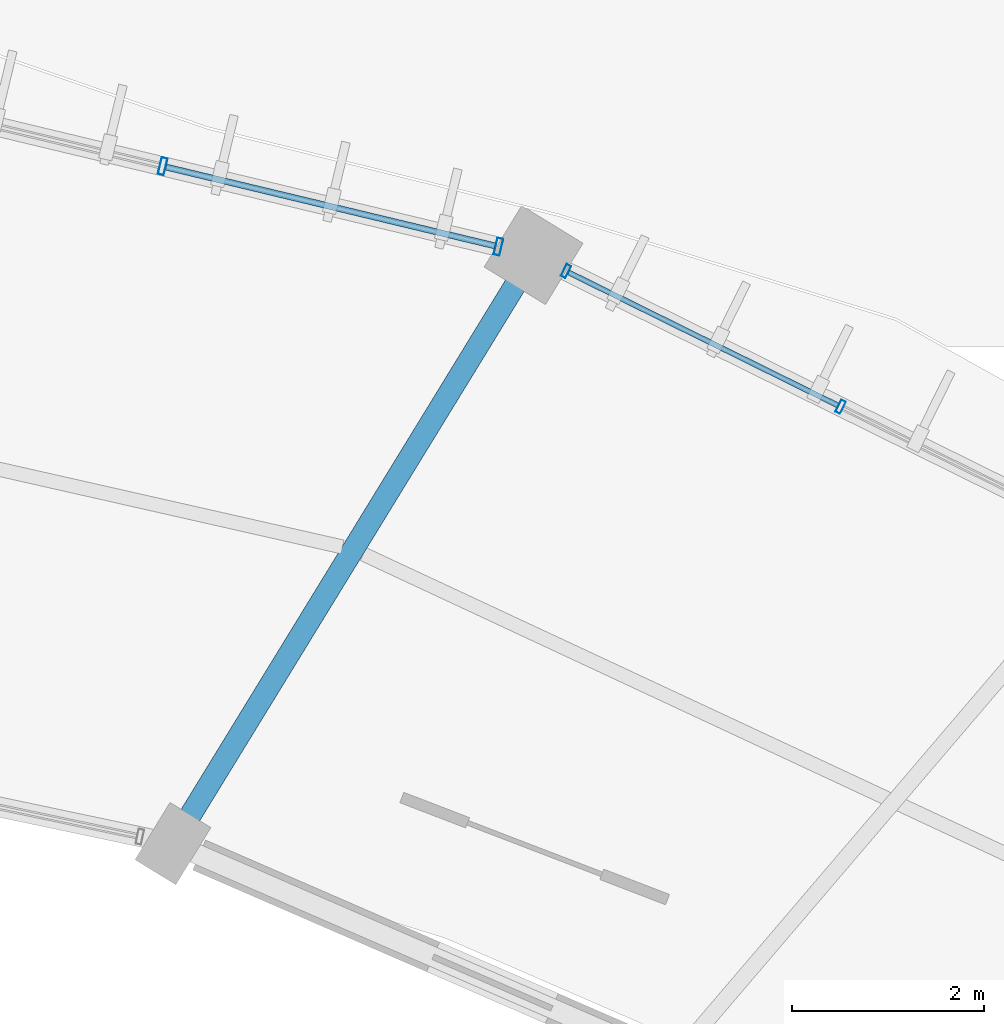
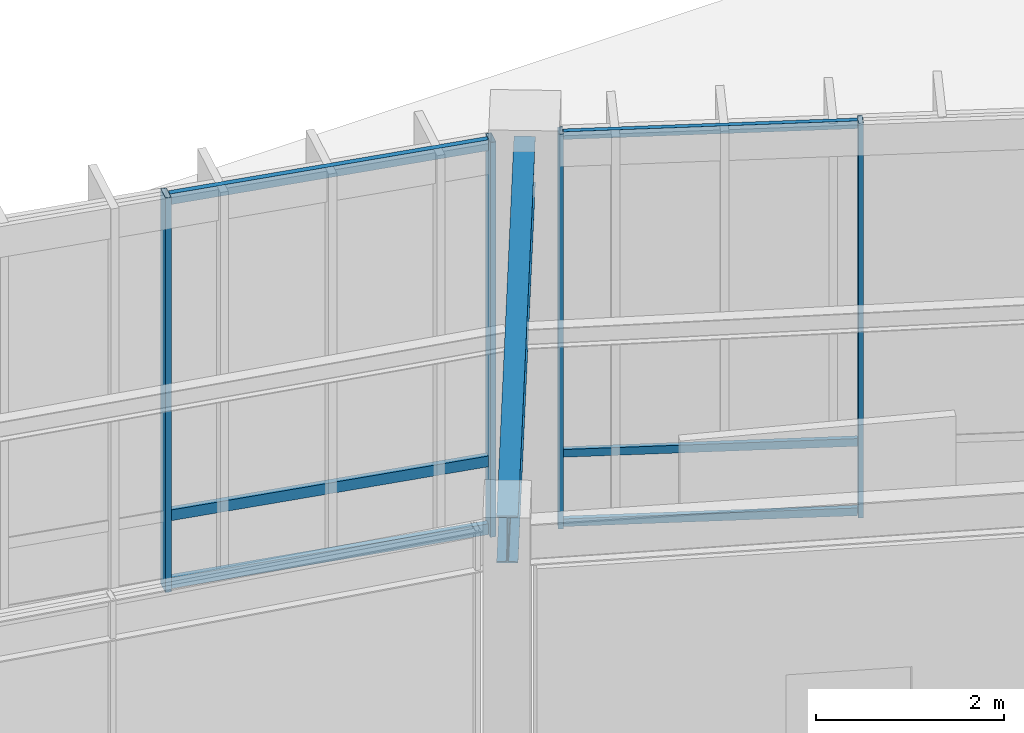
# One storey, part 82 of 157: 10 members, 1 beam, 2 elements without a shape of their own.
"""IFC4 building model written with IfcOpenShell, lengths in metres."""

from ifc_helpers import new_model, si_unit, direction, frame, origin, origin_2d, place, context, subcontext, project, spatial, hollow_rectangle, i_section, extrude, material, material_profile, profile_set, type_object, element, aggregate, save


model = new_model("IFC4")

# Units and contexts
model_context = context("Model", 3, precision=1e-05, world=origin(), true_north=direction((0.0, 1.0)))
body_context = subcontext(model_context, "Body", "Model", "MODEL_VIEW")
ifc_project = project(units=[si_unit("LENGTHUNIT", "METRE"), si_unit("AREAUNIT", "SQUARE_METRE"), si_unit("VOLUMEUNIT", "CUBIC_METRE"), si_unit("PLANEANGLEUNIT", "RADIAN"), si_unit("MASSUNIT", "GRAM", prefix="KILO"), si_unit("THERMODYNAMICTEMPERATUREUNIT", "KELVIN"), si_unit("POWERUNIT", "WATT")], contexts=[model_context])

# Site, building, storey
site_placement = place(None, origin())
site = spatial("IfcSite", under=ifc_project, at=site_placement, CompositionType="ELEMENT")
building_placement = place(site_placement, origin())
building = spatial("IfcBuilding", under=site, at=building_placement, Name="Darbajah Civic Hall", CompositionType="ELEMENT")
storey_placement = place(building_placement, origin())
storey = spatial("IfcBuildingStorey", under=building, at=storey_placement, Name="L00", CompositionType="ELEMENT", Elevation=0.0)

# Curtain wall, members
ifc_material_1 = material(Name="Anodised Bronze Aluminium and Low-E Glazing", Category="aluminium")
curtain_wall_type_1 = type_object("IfcCurtainWallType", Name="Unitised Curtain Wall CW-02 12800x5100", PredefinedType="USERDEFINED", material=ifc_material_1)
curtain_wall_1_placement = place(storey_placement, origin())
curtain_wall_1 = element("IfcCurtainWall", 1, at=curtain_wall_1_placement, inside=storey, type_object=curtain_wall_type_1, Name="L00 unitised curtain wall CW-V1O-L00-02", ObjectType="UNITISED CURTAIN WALL", PredefinedType="USERDEFINED")
ifc_material_2 = material(Name="Anodised Bronze Aluminium", Category="aluminium")
ifc_material_profile_1 = material_profile(ifc_material_2, hollow_rectangle(XDim=0.054931640625, YDim=0.139892578125, WallThickness=0.003173828125, at=origin_2d()), Name="ALU MULLION 55x140")
ifc_profile_set_1 = profile_set([ifc_material_profile_1], Name="Anodised Bronze Aluminium")
member_type_1 = type_object("IfcMemberType", Name="ALU MULLION 55x140", PredefinedType="MULLION", material=ifc_profile_set_1)
member_1_placement = place(storey_placement, frame((118.94970703125, 113.370849609375, 0.0), z_axis=(0.0, 0.0, 1.0), x_axis=(-0.89656374724, 0.442914717678, 0.0)))
member_1 = element("IfcMember", 2, at=member_1_placement, type_object=member_type_1, Name="CW-V1O-L00-02 mullion 4", PredefinedType="MULLION", context=body_context, shape_type="SweptSolid", body=[
    extrude(hollow_rectangle(XDim=0.054931640625, YDim=0.139892578125, WallThickness=0.003173828125, at=origin_2d()), origin(), (0.0, 0.0, 1.0), 5.1201171875),
])
member_2_placement = place(storey_placement, frame((116.08544921875, 114.785888671875, 0.0), z_axis=(0.0, 0.0, 1.0), x_axis=(-0.89656374724, 0.442914717678, 0.0)))
member_2 = element("IfcMember", 3, at=member_2_placement, type_object=member_type_1, Name="CW-V1O-L00-02 mullion 5", PredefinedType="MULLION", context=body_context, shape_type="SweptSolid", body=[
    extrude(hollow_rectangle(XDim=0.054931640625, YDim=0.139892578125, WallThickness=0.003173828125, at=origin_2d()), origin(), (0.0, 0.0, 1.0), 5.1201171875),
])

curtain_wall_type_2 = type_object("IfcCurtainWallType", Name="Unitised Curtain Wall CW-03 14400x5100", PredefinedType="USERDEFINED", material=ifc_material_1)
curtain_wall_2_placement = place(storey_placement, origin())
curtain_wall_2 = element("IfcCurtainWall", 4, at=curtain_wall_2_placement, inside=storey, type_object=curtain_wall_type_2, Name="L00 unitised curtain wall CW-V1O-L00-03", ObjectType="UNITISED CURTAIN WALL", PredefinedType="USERDEFINED")
ifc_material_profile_2 = material_profile(ifc_material_2, hollow_rectangle(XDim=0.06494140625, YDim=0.179931640625, WallThickness=0.00390625, at=origin_2d()), Name="ALU MULLION 65x180")
ifc_profile_set_2 = profile_set([ifc_material_profile_2], Name="Anodised Bronze Aluminium")
member_type_2 = type_object("IfcMemberType", Name="ALU MULLION 65x180", PredefinedType="MULLION", material=ifc_profile_set_2)
member_3_placement = place(storey_placement, frame((115.380859375, 115.040771484375, 0.0), z_axis=(0.0, 0.0, 1.0), x_axis=(-0.972492018808, 0.232936200179, 0.0)))
member_3 = element("IfcMember", 5, at=member_3_placement, type_object=member_type_2, Name="CW-V1O-L00-03 mullion 1", PredefinedType="MULLION", context=body_context, shape_type="SweptSolid", body=[
    extrude(hollow_rectangle(XDim=0.06494140625, YDim=0.179931640625, WallThickness=0.00390625, at=origin_2d()), origin(), (0.0, 0.0, 1.0), 5.1201171875),
])
member_4_placement = place(storey_placement, frame((111.878662109375, 115.8798828125, 0.0), z_axis=(0.0, 0.0, 1.0), x_axis=(-0.972492018808, 0.232936200179, 0.0)))
member_4 = element("IfcMember", 6, at=member_4_placement, type_object=member_type_2, Name="CW-V1O-L00-03 mullion 2", PredefinedType="MULLION", context=body_context, shape_type="SweptSolid", body=[
    extrude(hollow_rectangle(XDim=0.06494140625, YDim=0.179931640625, WallThickness=0.00390625, at=origin_2d()), origin(), (0.0, 0.0, 1.0), 5.1201171875),
])

# Member
ifc_material_profile_3 = material_profile(ifc_material_2, hollow_rectangle(XDim=0.054931640625, YDim=0.10009765625, WallThickness=0.0029296875, at=origin_2d()), Name="ALU TRANSOM 55x100")
ifc_profile_set_3 = profile_set([ifc_material_profile_3], Name="Anodised Bronze Aluminium")
member_type_3 = type_object("IfcMemberType", Name="ALU TRANSOM 55x100", PredefinedType="USERDEFINED", material=ifc_profile_set_3)
member_5_placement = place(storey_placement, frame((118.920654296875, 113.38525390625, 0.050048828125), z_axis=(-0.896569717473, 0.442902632314, 0.0), x_axis=(-0.442902632314, -0.896569717473, 0.0)))
member_5 = element("IfcMember", 7, at=member_5_placement, type_object=member_type_3, Name="CW-V1O-L00-02 transom 4.1", ObjectType="TRANSOM", PredefinedType="USERDEFINED", context=body_context, shape_type="SweptSolid", body=[
    extrude(hollow_rectangle(XDim=0.054931640625, YDim=0.10009765625, WallThickness=0.0029296875, at=origin_2d()), origin(), (0.0, 0.0, 1.0), 3.1298828125),
])

member_6_placement = place(storey_placement, frame((118.920654296875, 113.38525390625, 0.949951171875), z_axis=(-0.896569717473, 0.442902632314, 0.0), x_axis=(-0.442902632314, -0.896569717473, 0.0)))
member_6 = element("IfcMember", 8, at=member_6_placement, type_object=member_type_3, Name="CW-V1O-L00-02 transom 4.2", ObjectType="TRANSOM", PredefinedType="USERDEFINED", context=body_context, shape_type="SweptSolid", body=[
    extrude(hollow_rectangle(XDim=0.054931640625, YDim=0.10009765625, WallThickness=0.0029296875, at=origin_2d()), origin(), (0.0, 0.0, 1.0), 3.1298828125),
])

member_7_placement = place(storey_placement, frame((118.920654296875, 113.38525390625, 5.070068359375), z_axis=(-0.896569717473, 0.442902632314, 0.0), x_axis=(-0.442902632314, -0.896569717473, 0.0)))
member_7 = element("IfcMember", 9, at=member_7_placement, type_object=member_type_3, Name="CW-V1O-L00-02 transom 4.3", ObjectType="TRANSOM", PredefinedType="USERDEFINED", context=body_context, shape_type="SweptSolid", body=[
    extrude(hollow_rectangle(XDim=0.054931640625, YDim=0.10009765625, WallThickness=0.0029296875, at=origin_2d()), origin(), (0.0, 0.0, 1.0), 3.1298828125),
])

aggregate(curtain_wall_1, [member_1, member_2, member_5, member_6, member_7])

ifc_material_profile_4 = material_profile(ifc_material_2, hollow_rectangle(XDim=0.06494140625, YDim=0.139892578125, WallThickness=0.00341796875, at=origin_2d()), Name="ALU TRANSOM 65x140")
ifc_profile_set_4 = profile_set([ifc_material_profile_4], Name="Anodised Bronze Aluminium")
member_type_4 = type_object("IfcMemberType", Name="ALU TRANSOM 65x140", PredefinedType="USERDEFINED", material=ifc_profile_set_4)
member_8_placement = place(storey_placement, frame((115.34423828125, 115.04931640625, 0.070068359375), z_axis=(-0.972466430891, 0.23304300202, 0.0), x_axis=(-0.23304300202, -0.972466430891, 0.0)))
member_8 = element("IfcMember", 10, at=member_8_placement, type_object=member_type_4, Name="CW-V1O-L00-03 transom 1.1", ObjectType="TRANSOM", PredefinedType="USERDEFINED", context=body_context, shape_type="SweptSolid", body=[
    extrude(hollow_rectangle(XDim=0.06494140625, YDim=0.139892578125, WallThickness=0.00341796875, at=origin_2d()), origin(), (0.0, 0.0, 1.0), 3.5263671875),
])

member_9_placement = place(storey_placement, frame((115.34423828125, 115.04931640625, 0.949951171875), z_axis=(-0.972466430891, 0.23304300202, 0.0), x_axis=(-0.23304300202, -0.972466430891, 0.0)))
member_9 = element("IfcMember", 11, at=member_9_placement, type_object=member_type_4, Name="CW-V1O-L00-03 transom 1.2", ObjectType="TRANSOM", PredefinedType="USERDEFINED", context=body_context, shape_type="SweptSolid", body=[
    extrude(hollow_rectangle(XDim=0.06494140625, YDim=0.139892578125, WallThickness=0.00341796875, at=origin_2d()), origin(), (0.0, 0.0, 1.0), 3.5263671875),
])

member_10_placement = place(storey_placement, frame((115.34423828125, 115.04931640625, 5.050048828125), z_axis=(-0.972466430891, 0.23304300202, 0.0), x_axis=(-0.23304300202, -0.972466430891, 0.0)))
member_10 = element("IfcMember", 12, at=member_10_placement, type_object=member_type_4, Name="CW-V1O-L00-03 transom 1.3", ObjectType="TRANSOM", PredefinedType="USERDEFINED", context=body_context, shape_type="SweptSolid", body=[
    extrude(hollow_rectangle(XDim=0.06494140625, YDim=0.139892578125, WallThickness=0.00341796875, at=origin_2d()), origin(), (0.0, 0.0, 1.0), 3.5263671875),
])

aggregate(curtain_wall_2, [member_3, member_4, member_8, member_9, member_10])

# Beam
ifc_material_3 = material(Name="Steel S355JR", Category="steel")
ifc_material_profile_5 = material_profile(ifc_material_3, i_section(OverallWidth=0.228271484375, OverallDepth=0.607666015625, WebThickness=0.010986328125, FlangeThickness=0.017333984375, FilletRadius=0.0126953125, at=origin_2d()), Name="UB 610x229x113")
ifc_profile_set_5 = profile_set([ifc_material_profile_5], Name="Steel S355JR")
beam_type = type_object("IfcBeamType", Name="UB 610x229x113", PredefinedType="BEAM", material=ifc_profile_set_5)
beam_placement = place(storey_placement, frame((112.027099609375, 108.882080078125, 4.816162109375), z_axis=(0.522500254411, 0.852639128905, 0.0), x_axis=(-0.852639128905, 0.522500254411, 0.0)))
element("IfcBeam", 13, at=beam_placement, inside=storey, type_object=beam_type, Name="L00 beam SB-610", PredefinedType="BEAM", context=body_context, shape_type="SweptSolid", body=[
    extrude(i_section(OverallWidth=0.228271484375, OverallDepth=0.607666015625, WebThickness=0.010986328125, FlangeThickness=0.017333984375, FilletRadius=0.0126953125, at=origin_2d()), origin(), (0.0, 0.0, 1.0), 7.0400390625),
])

save(model, "model.ifc")
